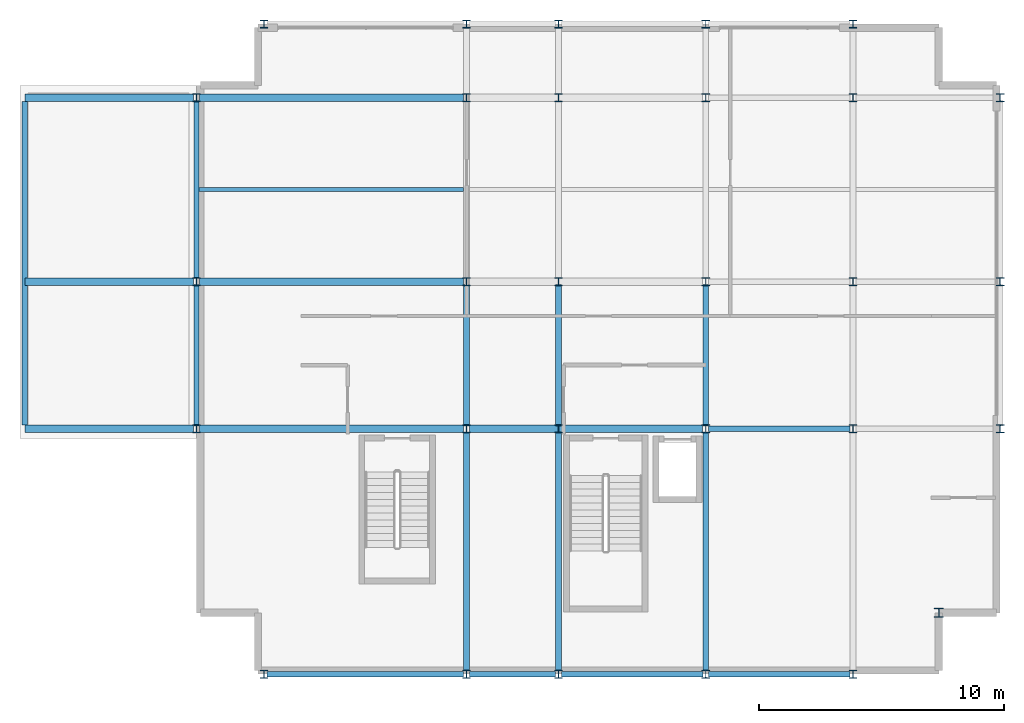
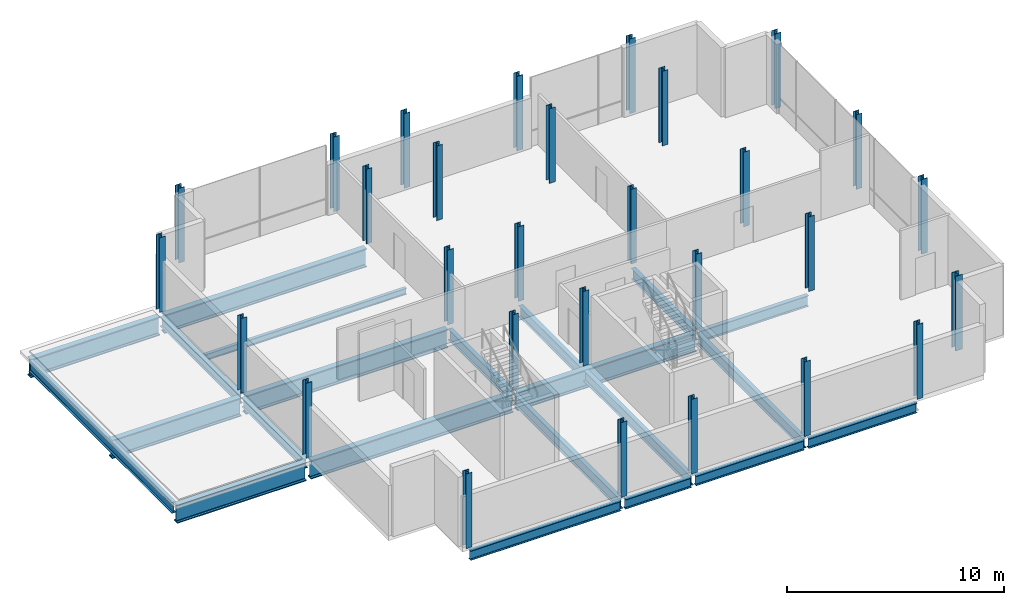
# One storey, part 1 of 11: 29 columns, 22 beams.
"""IFC4 building model written with IfcOpenShell, lengths in metres."""

from ifc_helpers import new_model, si_unit, direction, frame, origin, origin_2d, place, context, subcontext, project, spatial, i_section, extrude, material, material_profile, profile_set, type_object, element, save


model = new_model("IFC4")

# Units and contexts
model_context = context("Model", 3, precision=1e-05, world=origin(), true_north=direction((0.0, 1.0)))
body_context = subcontext(model_context, "Body", "Model", "MODEL_VIEW")
ifc_project = project(units=[si_unit("LENGTHUNIT", "METRE"), si_unit("AREAUNIT", "SQUARE_METRE"), si_unit("VOLUMEUNIT", "CUBIC_METRE"), si_unit("PLANEANGLEUNIT", "RADIAN"), si_unit("MASSUNIT", "GRAM", prefix="KILO")], contexts=[model_context])

# Site, building, storey
site_placement = place(None, origin())
site = spatial("IfcSite", under=ifc_project, at=site_placement, CompositionType="ELEMENT")
building_placement = place(site_placement, origin())
building = spatial("IfcBuilding", under=site, at=building_placement, Name="Brevholm Reach", CompositionType="ELEMENT")
storey_placement = place(building_placement, frame((0.0, 0.0, 247.25)))
storey = spatial("IfcBuildingStorey", under=building, at=storey_placement, Name="L75", CompositionType="ELEMENT", Elevation=247.25)

# Columns
ifc_material_1 = material(Name="Structural Steel S355J2", Category="steel")
ifc_material_profile_1 = material_profile(ifc_material_1, i_section(OverallWidth=0.374755859375, OverallDepth=0.37451171875, WebThickness=0.0166015625, FlangeThickness=0.027099609375, FilletRadius=0.01513671875, at=origin_2d()), Name="UKC 356x368x202")
ifc_profile_set_1 = profile_set([ifc_material_profile_1], Name="Structural Steel S355J2")
column_type_1 = type_object("IfcColumnType", Name="COL-UC6", PredefinedType="COLUMN", material=ifc_profile_set_1)
column_placement = place(storey_placement, frame((57.5, 2.5, 0.0), z_axis=(0.0, 0.0, 1.0), x_axis=(1.0, 0.0, 0.0)))
element("IfcColumn", 1, at=column_placement, inside=storey, type_object=column_type_1, Name="L75 Column 26", PredefinedType="COLUMN", context=body_context, shape_type="SweptSolid", body=[
    extrude(i_section(OverallWidth=0.374755859375, OverallDepth=0.37451171875, WebThickness=0.0166015625, FlangeThickness=0.027099609375, FilletRadius=0.01513671875, at=origin_2d()), origin(), (0.0, 0.0, 1.0), 4.199951171875),
])
ifc_material_2 = material(Name="Structural Steel S355J2", Category="steel")
ifc_material_profile_2 = material_profile(ifc_material_2, i_section(OverallWidth=0.311279296875, OverallDepth=0.3271484375, WebThickness=0.015869140625, FlangeThickness=0.02490234375, FilletRadius=0.01513671875, at=origin_2d()), Name="UKC 305x305x158")
ifc_profile_set_2 = profile_set([ifc_material_profile_2], Name="Structural Steel S355J2")
column_type_2 = type_object("IfcColumnType", Name="COL-UC7B", PredefinedType="COLUMN", material=ifc_profile_set_2)
for number, where, z_axis, x_axis, name in (
    (2, (27.25, 10.0, 0.0), (0.0, 0.0, 1.0), (1.0, 0.0, 0.0), "L75 Column 01"),
    (3, (27.25, 16.0, 0.0), (0.0, 0.0, 1.0), (1.0, 0.0, 0.0), "L75 Column 02"),
    (4, (27.25, 23.5, 0.0), (0.0, 0.0, 1.0), (1.0, 0.0, 0.0), "L75 Column 03"),
    (5, (30.0, 0.0, 0.0), (0.0, 0.0, 1.0), (1.0, 0.0, 0.0), "L75 Column 04"),
    (6, (30.0, 26.5, 0.0), (0.0, 0.0, 1.0), (1.0, 0.0, 0.0), "L75 Column 05"),
    (7, (38.25, 0.0, 0.0), (0.0, 0.0, 1.0), (1.0, 0.0, 0.0), "L75 Column 06"),
    (8, (38.25, 10.0, 0.0), (0.0, 0.0, 1.0), (1.0, 0.0, 0.0), "L75 Column 07"),
    (9, (38.25, 16.0, 0.0), (0.0, 0.0, 1.0), (1.0, 0.0, 0.0), "L75 Column 08"),
    (10, (38.25, 23.5, 0.0), (0.0, 0.0, 1.0), (1.0, 0.0, 0.0), "L75 Column 09"),
    (11, (38.25, 26.5, 0.0), (0.0, 0.0, 1.0), (1.0, 0.0, 0.0), "L75 Column 10"),
    (12, (42.0, 0.0, 0.0), (0.0, 0.0, 1.0), (1.0, 0.0, 0.0), "L75 Column 11"),
    (13, (42.0, 10.0, 0.0), (0.0, 0.0, 1.0), (1.0, 0.0, 0.0), "L75 Column 12"),
    (14, (42.0, 16.0, 0.0), (0.0, 0.0, 1.0), (1.0, 0.0, 0.0), "L75 Column 13"),
    (15, (42.0, 23.5, 0.0), (0.0, 0.0, 1.0), (1.0, 0.0, 0.0), "L75 Column 14"),
    (16, (42.0, 26.5, 0.0), (0.0, 0.0, 1.0), (1.0, 0.0, 0.0), "L75 Column 15"),
    (17, (48.0, 0.0, 0.0), (0.0, 0.0, 1.0), (1.0, 0.0, 0.0), "L75 Column 16"),
    (18, (48.0, 10.0, 0.0), (0.0, 0.0, 1.0), (1.0, 0.0, 0.0), "L75 Column 17"),
    (19, (48.0, 16.0, 0.0), (0.0, 0.0, 1.0), (1.0, 0.0, 0.0), "L75 Column 18"),
    (20, (48.0, 23.5, 0.0), (0.0, 0.0, 1.0), (1.0, 0.0, 0.0), "L75 Column 19"),
    (21, (48.0, 26.5, 0.0), (0.0, 0.0, 1.0), (1.0, 0.0, 0.0), "L75 Column 20"),
    (22, (54.0, 0.0, 0.0), (0.0, 0.0, 1.0), (1.0, 0.0, 0.0), "L75 Column 21"),
    (23, (54.0, 10.0, 0.0), (0.0, 0.0, 1.0), (1.0, 0.0, 0.0), "L75 Column 22"),
    (24, (54.0, 16.0, 0.0), (0.0, 0.0, 1.0), (1.0, 0.0, 0.0), "L75 Column 23"),
    (25, (54.0, 23.5, 0.0), (0.0, 0.0, 1.0), (1.0, 0.0, 0.0), "L75 Column 24"),
    (26, (54.0, 26.5, 0.0), (0.0, 0.0, 1.0), (1.0, 0.0, 0.0), "L75 Column 25"),
    (27, (60.0, 10.0, 0.0), (0.0, 0.0, 1.0), (1.0, 0.0, 0.0), "L75 Column 27"),
    (28, (60.0, 16.0, 0.0), (0.0, 0.0, 1.0), (1.0, 0.0, 0.0), "L75 Column 28"),
    (29, (60.0, 23.5, 0.0), (0.0, 0.0, 1.0), (1.0, 0.0, 0.0), "L75 Column 29"),
):
    element("IfcColumn", number, at=place(storey_placement, frame(where, z_axis=z_axis, x_axis=x_axis)), inside=storey, type_object=column_type_2, Name=name, PredefinedType="COLUMN", context=body_context, shape_type="SweptSolid", body=[
        extrude(i_section(OverallWidth=0.311279296875, OverallDepth=0.3271484375, WebThickness=0.015869140625, FlangeThickness=0.02490234375, FilletRadius=0.01513671875, at=origin_2d()), origin(), (0.0, 0.0, 1.0), 4.199951171875),
    ])

# Beams
ifc_material_3 = material(Name="Structural Steel S355J2", Category="steel")
ifc_material_profile_3 = material_profile(ifc_material_3, i_section(OverallWidth=0.17138671875, OverallDepth=0.35498046875, WebThickness=0.00732421875, FlangeThickness=0.011474609375, FilletRadius=0.01025390625, at=origin_2d()), Name="UKB 356x171x51")
ifc_profile_set_3 = profile_set([ifc_material_profile_3], Name="Structural Steel S355J2")
beam_type_1 = type_object("IfcBeamType", Name="BM-B356", PredefinedType="BEAM", material=ifc_profile_set_3)
beam_1_placement = place(storey_placement, frame((27.35546875, 19.75, -0.4375), z_axis=(1.0, 0.0, 0.0), x_axis=(0.0, 1.0, 0.0)))
element("IfcBeam", 30, at=beam_1_placement, inside=storey, type_object=beam_type_1, Name="L75 Composite Secondary Floor Beam", PredefinedType="BEAM", context=body_context, shape_type="SweptSolid", body=[
    extrude(i_section(OverallWidth=0.17138671875, OverallDepth=0.35498046875, WebThickness=0.00732421875, FlangeThickness=0.011474609375, FilletRadius=0.01025390625, at=origin_2d()), origin(), (0.0, 0.0, 1.0), 10.780029296875),
])
ifc_material_4 = material(Name="Structural Steel S355J2", Category="steel")
ifc_material_profile_4 = material_profile(ifc_material_4, i_section(OverallWidth=0.210693359375, OverallDepth=0.53955078125, WebThickness=0.01171875, FlangeThickness=0.018798828125, FilletRadius=0.0126953125, at=origin_2d()), Name="UKB 533x210x109")
ifc_profile_set_4 = profile_set([ifc_material_profile_4], Name="Structural Steel S355J2")
beam_type_2 = type_object("IfcBeamType", Name="BM-SP539", PredefinedType="SPANDREL", material=ifc_profile_set_4)
beam_2_placement = place(storey_placement, frame((30.1201171875, 0.0, -0.52978515625), z_axis=(1.0, 0.0, 0.0), x_axis=(0.0, 1.0, 0.0)))
element("IfcBeam", 31, at=beam_2_placement, inside=storey, type_object=beam_type_2, Name="L75 SP-01B Framing Beam", PredefinedType="SPANDREL", context=body_context, shape_type="SweptSolid", body=[
    extrude(i_section(OverallWidth=0.210693359375, OverallDepth=0.53955078125, WebThickness=0.01171875, FlangeThickness=0.018798828125, FilletRadius=0.0126953125, at=origin_2d()), origin(), (0.0, 0.0, 1.0), 8.009765625),
])
beam_3_placement = place(storey_placement, frame((38.3701171875, 0.0, -0.52978515625), z_axis=(1.0, 0.0, 0.0), x_axis=(0.0, 1.0, 0.0)))
element("IfcBeam", 32, at=beam_3_placement, inside=storey, type_object=beam_type_2, Name="L75 SP-01B Framing Beam", PredefinedType="SPANDREL", context=body_context, shape_type="SweptSolid", body=[
    extrude(i_section(OverallWidth=0.210693359375, OverallDepth=0.53955078125, WebThickness=0.01171875, FlangeThickness=0.018798828125, FilletRadius=0.0126953125, at=origin_2d()), origin(), (0.0, 0.0, 1.0), 3.509765625),
])
for number, where, z_axis, x_axis, name in (
    (33, (42.1201171875, 0.0, -0.52978515625), (1.0, 0.0, 0.0), (0.0, 1.0, 0.0), "L75 SP-01B Framing Beam"),
    (34, (48.1201171875, 0.0, -0.52978515625), (1.0, 0.0, 0.0), (0.0, 1.0, 0.0), "L75 SP-01B Framing Beam"),
    (35, (27.25, 10.1201171875, -0.52978515625), (0.0, 1.0, 0.0), (-1.0, 0.0, 0.0), "L75 SP-01B Framing Beam"),
):
    element("IfcBeam", number, at=place(storey_placement, frame(where, z_axis=z_axis, x_axis=x_axis)), inside=storey, type_object=beam_type_2, Name=name, PredefinedType="SPANDREL", context=body_context, shape_type="SweptSolid", body=[
        extrude(i_section(OverallWidth=0.210693359375, OverallDepth=0.53955078125, WebThickness=0.01171875, FlangeThickness=0.018798828125, FilletRadius=0.0126953125, at=origin_2d()), origin(), (0.0, 0.0, 1.0), 5.759765625),
    ])
beam_4_placement = place(storey_placement, frame((27.25, 16.1201171875, -0.52978515625), z_axis=(0.0, 1.0, 0.0), x_axis=(-1.0, 0.0, 0.0)))
element("IfcBeam", 36, at=beam_4_placement, inside=storey, type_object=beam_type_2, Name="L75 SP-01B Framing Beam", PredefinedType="SPANDREL", context=body_context, shape_type="SweptSolid", body=[
    extrude(i_section(OverallWidth=0.210693359375, OverallDepth=0.53955078125, WebThickness=0.01171875, FlangeThickness=0.018798828125, FilletRadius=0.0126953125, at=origin_2d()), origin(), (0.0, 0.0, 1.0), 7.259765625),
])
ifc_material_5 = material(Name="Structural Steel S355J2", Category="steel")
ifc_material_profile_5 = material_profile(ifc_material_5, i_section(OverallWidth=0.22900390625, OverallDepth=0.6123046875, WebThickness=0.011962890625, FlangeThickness=0.01953125, FilletRadius=0.0126953125, at=origin_2d()), Name="UKB 610x229x125")
ifc_profile_set_5 = profile_set([ifc_material_profile_5], Name="Structural Steel S355J2")
beam_type_3 = type_object("IfcBeamType", Name="BM-SP610", PredefinedType="SPANDREL", material=ifc_profile_set_5)
beam_5_placement = place(storey_placement, frame((20.25, 10.14990234375, -0.566162109375), z_axis=(0.0, 1.0, 0.0), x_axis=(-1.0, 0.0, 0.0)))
element("IfcBeam", 37, at=beam_5_placement, inside=storey, type_object=beam_type_3, Name="L75 Sky-Lounge Tip Spandrel Beam", PredefinedType="SPANDREL", context=body_context, shape_type="SweptSolid", body=[
    extrude(i_section(OverallWidth=0.22900390625, OverallDepth=0.6123046875, WebThickness=0.011962890625, FlangeThickness=0.01953125, FilletRadius=0.0126953125, at=origin_2d()), origin(), (0.0, 0.0, 1.0), 13.2001953125),
])
beam_6_placement = place(storey_placement, frame((48.1201171875, 10.0, -0.566162109375), z_axis=(1.0, 0.0, 0.0), x_axis=(0.0, 1.0, 0.0)))
element("IfcBeam", 38, at=beam_6_placement, inside=storey, type_object=beam_type_3, Name="L75 SP-01 Framing Beam", PredefinedType="SPANDREL", context=body_context, shape_type="SweptSolid", body=[
    extrude(i_section(OverallWidth=0.22900390625, OverallDepth=0.6123046875, WebThickness=0.011962890625, FlangeThickness=0.01953125, FilletRadius=0.0126953125, at=origin_2d()), origin(), (0.0, 0.0, 1.0), 5.759765625),
])
beam_7_placement = place(storey_placement, frame((38.25, 0.1201171875, -0.566162109375), z_axis=(0.0, 1.0, 0.0), x_axis=(-1.0, 0.0, 0.0)))
element("IfcBeam", 39, at=beam_7_placement, inside=storey, type_object=beam_type_3, Name="L75 SP-01 Framing Beam", PredefinedType="SPANDREL", context=body_context, shape_type="SweptSolid", body=[
    extrude(i_section(OverallWidth=0.22900390625, OverallDepth=0.6123046875, WebThickness=0.011962890625, FlangeThickness=0.01953125, FilletRadius=0.0126953125, at=origin_2d()), origin(), (0.0, 0.0, 1.0), 9.759765625),
])
beam_8_placement = place(storey_placement, frame((38.25, 10.1201171875, -0.566162109375), z_axis=(0.0, 1.0, 0.0), x_axis=(-1.0, 0.0, 0.0)))
element("IfcBeam", 40, at=beam_8_placement, inside=storey, type_object=beam_type_3, Name="L75 SP-01 Framing Beam", PredefinedType="SPANDREL", context=body_context, shape_type="SweptSolid", body=[
    extrude(i_section(OverallWidth=0.22900390625, OverallDepth=0.6123046875, WebThickness=0.011962890625, FlangeThickness=0.01953125, FilletRadius=0.0126953125, at=origin_2d()), origin(), (0.0, 0.0, 1.0), 5.759765625),
])
beam_9_placement = place(storey_placement, frame((42.0, 0.1201171875, -0.566162109375), z_axis=(0.0, 1.0, 0.0), x_axis=(-1.0, 0.0, 0.0)))
element("IfcBeam", 41, at=beam_9_placement, inside=storey, type_object=beam_type_3, Name="L75 SP-01 Framing Beam", PredefinedType="SPANDREL", context=body_context, shape_type="SweptSolid", body=[
    extrude(i_section(OverallWidth=0.22900390625, OverallDepth=0.6123046875, WebThickness=0.011962890625, FlangeThickness=0.01953125, FilletRadius=0.0126953125, at=origin_2d()), origin(), (0.0, 0.0, 1.0), 9.759765625),
])
beam_10_placement = place(storey_placement, frame((42.0, 10.1201171875, -0.566162109375), z_axis=(0.0, 1.0, 0.0), x_axis=(-1.0, 0.0, 0.0)))
element("IfcBeam", 42, at=beam_10_placement, inside=storey, type_object=beam_type_3, Name="L75 SP-01 Framing Beam", PredefinedType="SPANDREL", context=body_context, shape_type="SweptSolid", body=[
    extrude(i_section(OverallWidth=0.22900390625, OverallDepth=0.6123046875, WebThickness=0.011962890625, FlangeThickness=0.01953125, FilletRadius=0.0126953125, at=origin_2d()), origin(), (0.0, 0.0, 1.0), 5.759765625),
])
beam_11_placement = place(storey_placement, frame((48.0, 0.1201171875, -0.566162109375), z_axis=(0.0, 1.0, 0.0), x_axis=(-1.0, 0.0, 0.0)))
element("IfcBeam", 43, at=beam_11_placement, inside=storey, type_object=beam_type_3, Name="L75 SP-01 Framing Beam", PredefinedType="SPANDREL", context=body_context, shape_type="SweptSolid", body=[
    extrude(i_section(OverallWidth=0.22900390625, OverallDepth=0.6123046875, WebThickness=0.011962890625, FlangeThickness=0.01953125, FilletRadius=0.0126953125, at=origin_2d()), origin(), (0.0, 0.0, 1.0), 9.759765625),
])
beam_12_placement = place(storey_placement, frame((48.0, 10.1201171875, -0.566162109375), z_axis=(0.0, 1.0, 0.0), x_axis=(-1.0, 0.0, 0.0)))
element("IfcBeam", 44, at=beam_12_placement, inside=storey, type_object=beam_type_3, Name="L75 SP-01 Framing Beam", PredefinedType="SPANDREL", context=body_context, shape_type="SweptSolid", body=[
    extrude(i_section(OverallWidth=0.22900390625, OverallDepth=0.6123046875, WebThickness=0.011962890625, FlangeThickness=0.01953125, FilletRadius=0.0126953125, at=origin_2d()), origin(), (0.0, 0.0, 1.0), 5.759765625),
])
ifc_material_6 = material(Name="Structural Steel S460ML", Category="steel")
ifc_material_profile_6 = material_profile(ifc_material_6, i_section(OverallWidth=0.30859375, OverallDepth=1.036376953125, WebThickness=0.030029296875, FlangeThickness=0.05419921875, FilletRadius=0.030029296875, at=origin_2d()), Name="UKB 1016x305x487")
ifc_profile_set_6 = profile_set([ifc_material_profile_6], Name="Structural Steel S460ML")
beam_type_4 = type_object("IfcBeamType", Name="BM-UKB1016", PredefinedType="USERDEFINED", material=ifc_profile_set_6)
beam_13_placement = place(storey_placement, frame((20.25, 10.0, -0.778076171875), z_axis=(1.0, 0.0, 0.0), x_axis=(0.0, 1.0, 0.0)))
element("IfcBeam", 45, at=beam_13_placement, inside=storey, type_object=beam_type_4, Name="L75 Sky-Lounge Cantilever Girder", ObjectType="GIRDER", PredefinedType="USERDEFINED", context=body_context, shape_type="SweptSolid", body=[
    extrude(i_section(OverallWidth=0.30859375, OverallDepth=1.036376953125, WebThickness=0.030029296875, FlangeThickness=0.05419921875, FilletRadius=0.030029296875, at=origin_2d()), origin(), (0.0, 0.0, 1.0), 6.8798828125),
])
beam_14_placement = place(storey_placement, frame((27.3701171875, 10.0, -0.778076171875), z_axis=(1.0, 0.0, 0.0), x_axis=(0.0, 1.0, 0.0)))
element("IfcBeam", 46, at=beam_14_placement, inside=storey, type_object=beam_type_4, Name="L75 Sky-Lounge Back-Span Girder 1", ObjectType="GIRDER", PredefinedType="USERDEFINED", context=body_context, shape_type="SweptSolid", body=[
    extrude(i_section(OverallWidth=0.30859375, OverallDepth=1.036376953125, WebThickness=0.030029296875, FlangeThickness=0.05419921875, FilletRadius=0.030029296875, at=origin_2d()), origin(), (0.0, 0.0, 1.0), 10.759765625),
])
beam_15_placement = place(storey_placement, frame((38.3701171875, 10.0, -0.778076171875), z_axis=(1.0, 0.0, 0.0), x_axis=(0.0, 1.0, 0.0)))
element("IfcBeam", 47, at=beam_15_placement, inside=storey, type_object=beam_type_4, Name="L75 Sky-Lounge Back-Span Girder 2", ObjectType="GIRDER", PredefinedType="USERDEFINED", context=body_context, shape_type="SweptSolid", body=[
    extrude(i_section(OverallWidth=0.30859375, OverallDepth=1.036376953125, WebThickness=0.030029296875, FlangeThickness=0.05419921875, FilletRadius=0.030029296875, at=origin_2d()), origin(), (0.0, 0.0, 1.0), 9.5),
])
beam_16_placement = place(storey_placement, frame((20.25, 16.0, -0.778076171875), z_axis=(1.0, 0.0, 0.0), x_axis=(0.0, 1.0, 0.0)))
element("IfcBeam", 48, at=beam_16_placement, inside=storey, type_object=beam_type_4, Name="L75 Sky-Lounge Cantilever Girder", ObjectType="GIRDER", PredefinedType="USERDEFINED", context=body_context, shape_type="SweptSolid", body=[
    extrude(i_section(OverallWidth=0.30859375, OverallDepth=1.036376953125, WebThickness=0.030029296875, FlangeThickness=0.05419921875, FilletRadius=0.030029296875, at=origin_2d()), origin(), (0.0, 0.0, 1.0), 6.8798828125),
])
beam_17_placement = place(storey_placement, frame((27.3701171875, 16.0, -0.778076171875), z_axis=(1.0, 0.0, 0.0), x_axis=(0.0, 1.0, 0.0)))
element("IfcBeam", 49, at=beam_17_placement, inside=storey, type_object=beam_type_4, Name="L75 Sky-Lounge Back-Span Girder 1", ObjectType="GIRDER", PredefinedType="USERDEFINED", context=body_context, shape_type="SweptSolid", body=[
    extrude(i_section(OverallWidth=0.30859375, OverallDepth=1.036376953125, WebThickness=0.030029296875, FlangeThickness=0.05419921875, FilletRadius=0.030029296875, at=origin_2d()), origin(), (0.0, 0.0, 1.0), 10.759765625),
])
beam_18_placement = place(storey_placement, frame((20.25, 23.5, -0.778076171875), z_axis=(1.0, 0.0, 0.0), x_axis=(0.0, 1.0, 0.0)))
element("IfcBeam", 50, at=beam_18_placement, inside=storey, type_object=beam_type_4, Name="L75 Sky-Lounge Cantilever Girder", ObjectType="GIRDER", PredefinedType="USERDEFINED", context=body_context, shape_type="SweptSolid", body=[
    extrude(i_section(OverallWidth=0.30859375, OverallDepth=1.036376953125, WebThickness=0.030029296875, FlangeThickness=0.05419921875, FilletRadius=0.030029296875, at=origin_2d()), origin(), (0.0, 0.0, 1.0), 6.8798828125),
])
beam_19_placement = place(storey_placement, frame((27.3701171875, 23.5, -0.778076171875), z_axis=(1.0, 0.0, 0.0), x_axis=(0.0, 1.0, 0.0)))
element("IfcBeam", 51, at=beam_19_placement, inside=storey, type_object=beam_type_4, Name="L75 Sky-Lounge Back-Span Girder 1", ObjectType="GIRDER", PredefinedType="USERDEFINED", context=body_context, shape_type="SweptSolid", body=[
    extrude(i_section(OverallWidth=0.30859375, OverallDepth=1.036376953125, WebThickness=0.030029296875, FlangeThickness=0.05419921875, FilletRadius=0.030029296875, at=origin_2d()), origin(), (0.0, 0.0, 1.0), 10.759765625),
])

save(model, "model.ifc")
